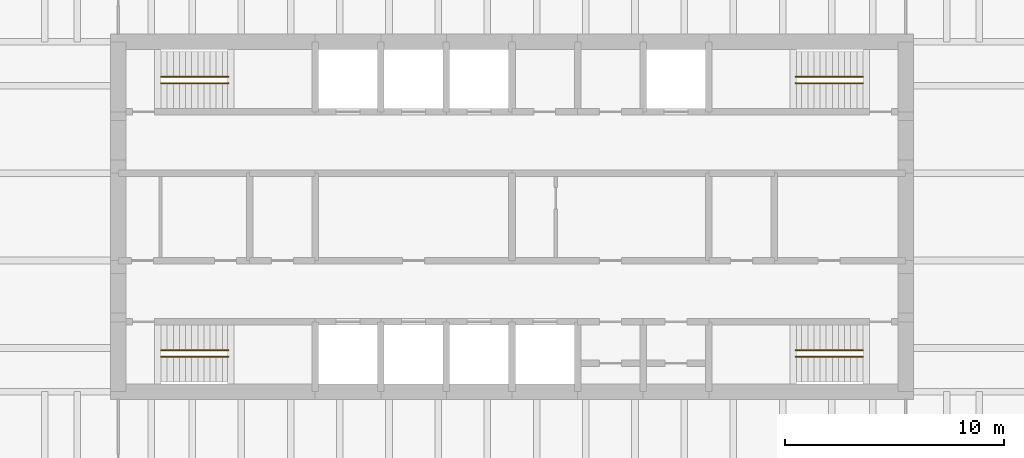
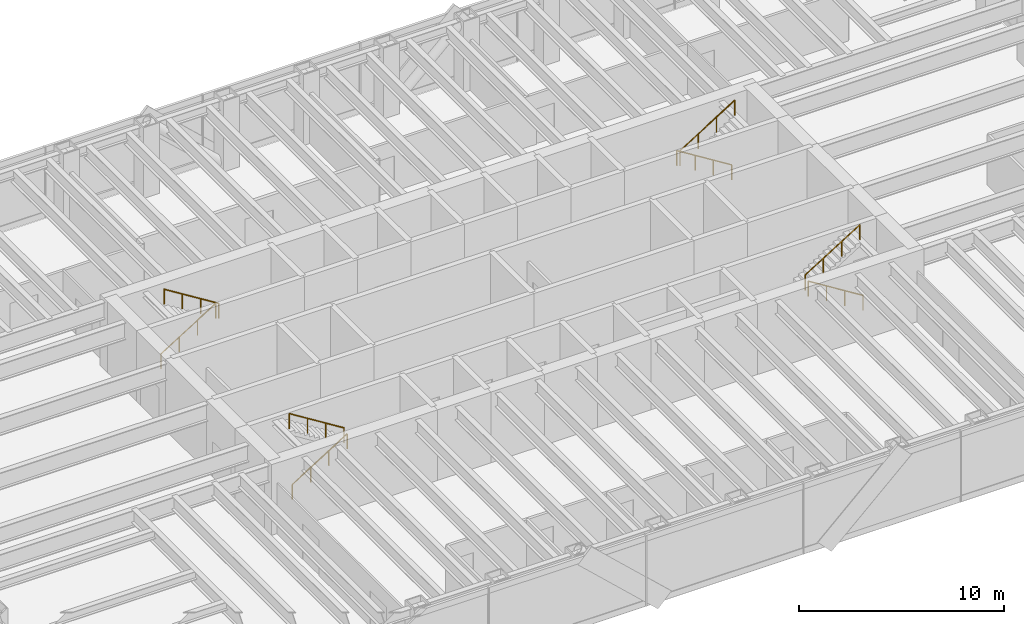
# One storey, part 15 of 15: 8 railings.
"""IFC4 building model written with IfcOpenShell, lengths in metres."""

from ifc_helpers import new_model, si_unit, direction, frame, origin, origin_2d, place, context, subcontext, project, spatial, circle, extrude, material, type_object, element, save


model = new_model("IFC4")

# Units and contexts
model_context = context("Model", 3, precision=1e-05, world=origin(), true_north=direction((0.0, 1.0)))
body_context = subcontext(model_context, "Body", "Model", "MODEL_VIEW")
ifc_project = project(units=[si_unit("LENGTHUNIT", "METRE"), si_unit("AREAUNIT", "SQUARE_METRE"), si_unit("VOLUMEUNIT", "CUBIC_METRE"), si_unit("PLANEANGLEUNIT", "RADIAN"), si_unit("MASSUNIT", "GRAM", prefix="KILO")], contexts=[model_context])

# Site, building, storey
site_placement = place(None, origin())
site = spatial("IfcSite", under=ifc_project, at=site_placement, CompositionType="ELEMENT")
building_placement = place(site_placement, origin())
building = spatial("IfcBuilding", under=site, at=building_placement, Name="Rheinbord Bourse Tower", CompositionType="ELEMENT")
storey_placement = place(building_placement, frame((0.0, 0.0, 308.89990234375)))
storey = spatial("IfcBuildingStorey", under=building, at=storey_placement, Name="L70", CompositionType="ELEMENT", Elevation=308.89990234375)

# Railings
ifc_material = material(Name="Steel handrail", Category="steel")
railing_type = type_object("IfcRailingType", Name="HANDRAIL 900", PredefinedType="HANDRAIL", material=ifc_material)
railing_1_placement = place(storey_placement, frame((19.949951171875, 17.60009765625, 0.175048828125)))
element("IfcRailing", 1, at=railing_1_placement, inside=storey, type_object=railing_type, Name="Handrail", PredefinedType="HANDRAIL", context=body_context, shape_type="SweptSolid", body=[
    extrude(circle(Radius=0.02392578125, at=origin_2d()), frame((0.0, 0.0, 0.8759765625), z_axis=(0.847998304005, 0.0, 0.529998940003), x_axis=(0.0, 1.0, 0.0)), (0.0, 0.0, 1.0), 3.632080078125),
    extrude(circle(Radius=0.02099609375, at=origin_2d()), origin(), (0.0, 0.0, 1.0), 0.851806640625),
    extrude(circle(Radius=0.02099609375, at=origin_2d()), frame((1.026611328125, 0.0, 0.6416015625)), (0.0, 0.0, 1.0), 0.851806640625),
    extrude(circle(Radius=0.02099609375, at=origin_2d()), frame((2.053466796875, 0.0, 1.283447265625)), (0.0, 0.0, 1.0), 0.851806640625),
    extrude(circle(Radius=0.02099609375, at=origin_2d()), frame((3.080078125, 0.0, 1.925048828125)), (0.0, 0.0, 1.0), 0.851806640625),
])
railing_2_placement = place(storey_placement, frame((23.030029296875, 17.89990234375, 2.275146484375)))
element("IfcRailing", 2, at=railing_2_placement, inside=storey, type_object=railing_type, Name="Handrail", PredefinedType="HANDRAIL", context=body_context, shape_type="SweptSolid", body=[
    extrude(circle(Radius=0.02392578125, at=origin_2d()), frame((0.0, 0.0, 0.8759765625), z_axis=(-0.847998304005, 0.0, 0.529998940003), x_axis=(0.0, -1.0, 0.0)), (0.0, 0.0, 1.0), 3.632080078125),
    extrude(circle(Radius=0.02099609375, at=origin_2d()), origin(), (0.0, 0.0, 1.0), 0.851806640625),
    extrude(circle(Radius=0.02099609375, at=origin_2d()), frame((-1.026611328125, 0.0, 0.6416015625)), (0.0, 0.0, 1.0), 0.851806640625),
    extrude(circle(Radius=0.02099609375, at=origin_2d()), frame((-2.053466796875, 0.0, 1.283447265625)), (0.0, 0.0, 1.0), 0.851806640625),
    extrude(circle(Radius=0.02099609375, at=origin_2d()), frame((-3.080078125, 0.0, 1.925048828125)), (0.0, 0.0, 1.0), 0.851806640625),
])
railing_3_placement = place(storey_placement, frame((19.949951171875, 30.39990234375, 0.175048828125)))
element("IfcRailing", 3, at=railing_3_placement, inside=storey, type_object=railing_type, Name="Handrail", PredefinedType="HANDRAIL", context=body_context, shape_type="SweptSolid", body=[
    extrude(circle(Radius=0.02392578125, at=origin_2d()), frame((0.0, 0.0, 0.8759765625), z_axis=(0.847998304005, 0.0, 0.529998940003), x_axis=(0.0, 1.0, 0.0)), (0.0, 0.0, 1.0), 3.632080078125),
    extrude(circle(Radius=0.02099609375, at=origin_2d()), origin(), (0.0, 0.0, 1.0), 0.851806640625),
    extrude(circle(Radius=0.02099609375, at=origin_2d()), frame((1.026611328125, 0.0, 0.6416015625)), (0.0, 0.0, 1.0), 0.851806640625),
    extrude(circle(Radius=0.02099609375, at=origin_2d()), frame((2.053466796875, 0.0, 1.283447265625)), (0.0, 0.0, 1.0), 0.851806640625),
    extrude(circle(Radius=0.02099609375, at=origin_2d()), frame((3.080078125, 0.0, 1.925048828125)), (0.0, 0.0, 1.0), 0.851806640625),
])
for number, where, name in (
    (4, (23.030029296875, 30.10009765625, 2.275146484375), "Handrail"),
    (5, (52.050048828125, 17.60009765625, 0.175048828125), "Handrail"),
):
    element("IfcRailing", number, at=place(storey_placement, frame(where)), inside=storey, type_object=railing_type, Name=name, PredefinedType="HANDRAIL", context=body_context, shape_type="SweptSolid", body=[
        extrude(circle(Radius=0.02392578125, at=origin_2d()), frame((0.0, 0.0, 0.8759765625), z_axis=(-0.847998304005, 0.0, 0.529998940003), x_axis=(0.0, -1.0, 0.0)), (0.0, 0.0, 1.0), 3.632080078125),
        extrude(circle(Radius=0.02099609375, at=origin_2d()), origin(), (0.0, 0.0, 1.0), 0.851806640625),
        extrude(circle(Radius=0.02099609375, at=origin_2d()), frame((-1.026611328125, 0.0, 0.6416015625)), (0.0, 0.0, 1.0), 0.851806640625),
        extrude(circle(Radius=0.02099609375, at=origin_2d()), frame((-2.053466796875, 0.0, 1.283447265625)), (0.0, 0.0, 1.0), 0.851806640625),
        extrude(circle(Radius=0.02099609375, at=origin_2d()), frame((-3.080078125, 0.0, 1.925048828125)), (0.0, 0.0, 1.0), 0.851806640625),
    ])
railing_4_placement = place(storey_placement, frame((48.969970703125, 17.89990234375, 2.275146484375)))
element("IfcRailing", 6, at=railing_4_placement, inside=storey, type_object=railing_type, Name="Handrail", PredefinedType="HANDRAIL", context=body_context, shape_type="SweptSolid", body=[
    extrude(circle(Radius=0.02392578125, at=origin_2d()), frame((0.0, 0.0, 0.8759765625), z_axis=(0.847998304005, 0.0, 0.529998940003), x_axis=(0.0, 1.0, 0.0)), (0.0, 0.0, 1.0), 3.632080078125),
    extrude(circle(Radius=0.02099609375, at=origin_2d()), origin(), (0.0, 0.0, 1.0), 0.851806640625),
    extrude(circle(Radius=0.02099609375, at=origin_2d()), frame((1.026611328125, 0.0, 0.6416015625)), (0.0, 0.0, 1.0), 0.851806640625),
    extrude(circle(Radius=0.02099609375, at=origin_2d()), frame((2.053466796875, 0.0, 1.283447265625)), (0.0, 0.0, 1.0), 0.851806640625),
    extrude(circle(Radius=0.02099609375, at=origin_2d()), frame((3.080078125, 0.0, 1.925048828125)), (0.0, 0.0, 1.0), 0.851806640625),
])
railing_5_placement = place(storey_placement, frame((52.050048828125, 30.39990234375, 0.175048828125)))
element("IfcRailing", 7, at=railing_5_placement, inside=storey, type_object=railing_type, Name="Handrail", PredefinedType="HANDRAIL", context=body_context, shape_type="SweptSolid", body=[
    extrude(circle(Radius=0.02392578125, at=origin_2d()), frame((0.0, 0.0, 0.8759765625), z_axis=(-0.847998304005, 0.0, 0.529998940003), x_axis=(0.0, -1.0, 0.0)), (0.0, 0.0, 1.0), 3.632080078125),
    extrude(circle(Radius=0.02099609375, at=origin_2d()), origin(), (0.0, 0.0, 1.0), 0.851806640625),
    extrude(circle(Radius=0.02099609375, at=origin_2d()), frame((-1.026611328125, 0.0, 0.6416015625)), (0.0, 0.0, 1.0), 0.851806640625),
    extrude(circle(Radius=0.02099609375, at=origin_2d()), frame((-2.053466796875, 0.0, 1.283447265625)), (0.0, 0.0, 1.0), 0.851806640625),
    extrude(circle(Radius=0.02099609375, at=origin_2d()), frame((-3.080078125, 0.0, 1.925048828125)), (0.0, 0.0, 1.0), 0.851806640625),
])
railing_6_placement = place(storey_placement, frame((48.969970703125, 30.10009765625, 2.275146484375)))
element("IfcRailing", 8, at=railing_6_placement, inside=storey, type_object=railing_type, Name="Handrail", PredefinedType="HANDRAIL", context=body_context, shape_type="SweptSolid", body=[
    extrude(circle(Radius=0.02392578125, at=origin_2d()), frame((0.0, 0.0, 0.8759765625), z_axis=(0.847998304005, 0.0, 0.529998940003), x_axis=(0.0, 1.0, 0.0)), (0.0, 0.0, 1.0), 3.632080078125),
    extrude(circle(Radius=0.02099609375, at=origin_2d()), origin(), (0.0, 0.0, 1.0), 0.851806640625),
    extrude(circle(Radius=0.02099609375, at=origin_2d()), frame((1.026611328125, 0.0, 0.6416015625)), (0.0, 0.0, 1.0), 0.851806640625),
    extrude(circle(Radius=0.02099609375, at=origin_2d()), frame((2.053466796875, 0.0, 1.283447265625)), (0.0, 0.0, 1.0), 0.851806640625),
    extrude(circle(Radius=0.02099609375, at=origin_2d()), frame((3.080078125, 0.0, 1.925048828125)), (0.0, 0.0, 1.0), 0.851806640625),
])

save(model, "model.ifc")
